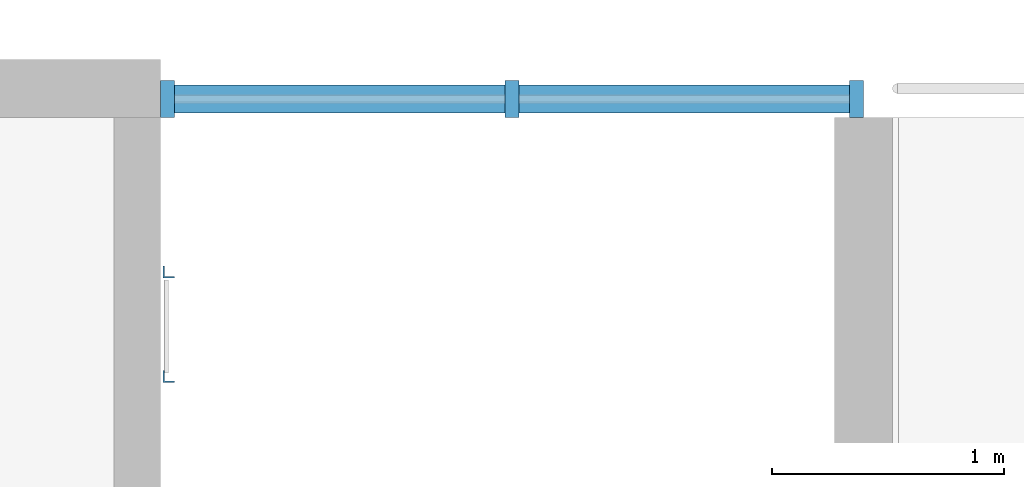
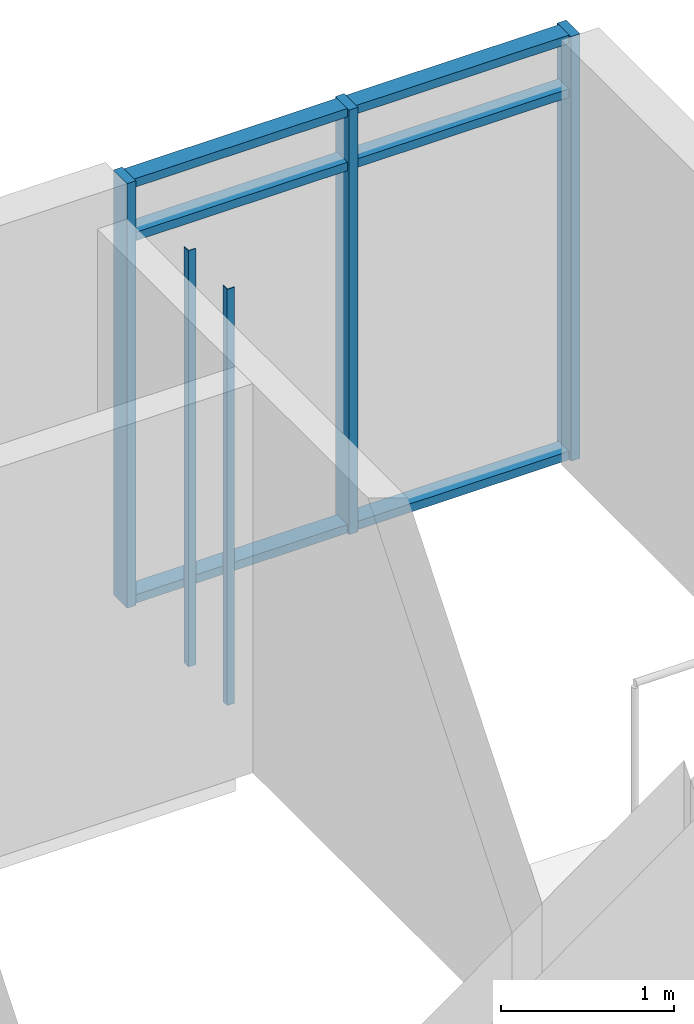
# One storey, part 14 of 33: 11 members, 1 element without a shape of its own.
"""IFC4 building model written with IfcOpenShell, lengths in metres."""

from ifc_helpers import new_model, si_unit, direction, frame, origin, origin_2d, place, context, subcontext, project, spatial, polyline, rectangle, outline, extrude, material, material_profile, profile_set, type_object, element, aggregate, save


model = new_model("IFC4")

# Units and contexts
model_context = context("Model", 3, precision=1e-05, world=origin(), true_north=direction((0.0, 1.0)))
body_context = subcontext(model_context, "Body", "Model", "MODEL_VIEW")
ifc_project = project(units=[si_unit("LENGTHUNIT", "METRE"), si_unit("AREAUNIT", "SQUARE_METRE"), si_unit("VOLUMEUNIT", "CUBIC_METRE"), si_unit("PLANEANGLEUNIT", "RADIAN"), si_unit("MASSUNIT", "GRAM", prefix="KILO")], contexts=[model_context])

# Site, building, storey
site_placement = place(None, origin())
site = spatial("IfcSite", under=ifc_project, at=site_placement, CompositionType="ELEMENT")
building_placement = place(site_placement, origin())
building = spatial("IfcBuilding", under=site, at=building_placement, Name="Ridgestep Commons", CompositionType="ELEMENT")
storey_placement = place(building_placement, frame((0.0, 0.0, 42.0)))
storey = spatial("IfcBuildingStorey", under=building, at=storey_placement, Name="L14", CompositionType="ELEMENT", Elevation=42.0)

# Members
ifc_material_1 = material(Name="Structural steel S355JR", Category="steel")
ifc_material_profile_1 = material_profile(ifc_material_1, outline(polyline([(-0.014404296875, -0.014404296875), (0.03564453125, -0.014404296875), (0.03564453125, -0.00927734375), (-0.00927734375, -0.00927734375), (-0.00927734375, 0.03564453125), (-0.014404296875, 0.03564453125), (-0.014404296875, -0.014404296875)])), Name="EA 50x50x5")
ifc_profile_set_1 = profile_set([ifc_material_profile_1], Name="Structural steel S355JR")
member_type_1 = type_object("IfcMemberType", Name="Core ladder stile EA 50x50x5", PredefinedType="STRINGER", material=ifc_profile_set_1)
for number, where, z_axis, x_axis, name in (
    (1, (233.800048828125, 21.625, 0.0), (0.0, 0.0, 1.0), (1.0, 0.0, 0.0), "Ladder stile D6C.1"),
    (2, (233.800048828125, 22.074951171875, 0.0), (0.0, 0.0, 1.0), (1.0, 0.0, 0.0), "Ladder stile D6C.2"),
):
    element("IfcMember", number, at=place(storey_placement, frame(where, z_axis=z_axis, x_axis=x_axis)), inside=storey, type_object=member_type_1, Name=name, PredefinedType="STRINGER", context=body_context, shape_type="SweptSolid", body=[
        extrude(outline(polyline([(-0.014404296875, -0.014404296875), (0.03564453125, -0.014404296875), (0.03564453125, -0.00927734375), (-0.00927734375, -0.00927734375), (-0.00927734375, 0.03564453125), (-0.014404296875, 0.03564453125), (-0.014404296875, -0.014404296875)])), origin(), (0.0, 0.0, 1.0), 2.93994140625),
    ])

# Curtain wall, members
ifc_material_2 = material(Name="Aluminium 6063-T6 and glass", Category="aluminium")
curtain_wall_type = type_object("IfcCurtainWallType", Name="Curtain wall stair strip", PredefinedType="NOTDEFINED", material=ifc_material_2)
curtain_wall_placement = place(storey_placement, origin())
curtain_wall = element("IfcCurtainWall", 3, at=curtain_wall_placement, inside=storey, type_object=curtain_wall_type, Name="Curtain wall D6C level 14", PredefinedType="NOTDEFINED")
ifc_material_3 = material(Name="Aluminium 6063-T6", Category="aluminium")
ifc_material_profile_2 = material_profile(ifc_material_3, rectangle(XDim=0.159912109375, YDim=0.06005859375, at=origin_2d()), Name="Mullion 60 x 160")
ifc_profile_set_2 = profile_set([ifc_material_profile_2], Name="Aluminium 6063-T6")
member_type_2 = type_object("IfcMemberType", Name="Mullion 60 x 160", PredefinedType="MULLION", material=ifc_profile_set_2)
member_1_placement = place(storey_placement, frame((233.804931640625, 22.830078125, 0.0), z_axis=(0.0, 0.0, 1.0), x_axis=(0.0, 1.0, 0.0)))
member_1 = element("IfcMember", 4, at=member_1_placement, type_object=member_type_2, Name="CW1 mullion 1", PredefinedType="MULLION", context=body_context, shape_type="SweptSolid", body=[
    extrude(rectangle(XDim=0.159912109375, YDim=0.06005859375, at=origin_2d()), origin(), (0.0, 0.0, 1.0), 3.0),
])
member_2_placement = place(storey_placement, frame((235.28759765625, 22.830078125, 0.0), z_axis=(0.0, 0.0, 1.0), x_axis=(0.0, 1.0, 0.0)))
member_2 = element("IfcMember", 5, at=member_2_placement, type_object=member_type_2, Name="CW1 mullion 2", PredefinedType="MULLION", context=body_context, shape_type="SweptSolid", body=[
    extrude(rectangle(XDim=0.159912109375, YDim=0.06005859375, at=origin_2d()), origin(), (0.0, 0.0, 1.0), 3.0),
])
member_3_placement = place(storey_placement, frame((236.77001953125, 22.830078125, 0.0), z_axis=(0.0, 0.0, 1.0), x_axis=(0.0, 1.0, 0.0)))
member_3 = element("IfcMember", 6, at=member_3_placement, type_object=member_type_2, Name="CW1 mullion 3", PredefinedType="MULLION", context=body_context, shape_type="SweptSolid", body=[
    extrude(rectangle(XDim=0.159912109375, YDim=0.06005859375, at=origin_2d()), origin(), (0.0, 0.0, 1.0), 3.0),
])
ifc_material_4 = material(Name="Aluminium 6063-T6", Category="aluminium")
ifc_material_profile_3 = material_profile(ifc_material_4, rectangle(XDim=0.1201171875, YDim=0.06005859375, at=origin_2d()), Name="Transom 60 x 120")
ifc_profile_set_3 = profile_set([ifc_material_profile_3], Name="Aluminium 6063-T6")
member_type_3 = type_object("IfcMemberType", Name="Transom 60 x 120", PredefinedType="USERDEFINED", material=ifc_profile_set_3)
member_4_placement = place(storey_placement, frame((233.8349609375, 22.830078125, 0.030029296875), z_axis=(1.0, 0.0, 0.0), x_axis=(0.0, 1.0, 0.0)))
member_4 = element("IfcMember", 7, at=member_4_placement, type_object=member_type_3, Name="CW1 transom 1.1", ObjectType="TRANSOM", PredefinedType="USERDEFINED", context=body_context, shape_type="SweptSolid", body=[
    extrude(rectangle(XDim=0.1201171875, YDim=0.06005859375, at=origin_2d()), origin(), (0.0, 0.0, 1.0), 1.422607421875),
])
member_5_placement = place(storey_placement, frame((233.8349609375, 22.830078125, 2.590087890625), z_axis=(1.0, 0.0, 0.0), x_axis=(0.0, 1.0, 0.0)))
member_5 = element("IfcMember", 8, at=member_5_placement, type_object=member_type_3, Name="CW1 transom 1.2", ObjectType="TRANSOM", PredefinedType="USERDEFINED", context=body_context, shape_type="SweptSolid", body=[
    extrude(rectangle(XDim=0.1201171875, YDim=0.06005859375, at=origin_2d()), origin(), (0.0, 0.0, 1.0), 1.422607421875),
])
member_6_placement = place(storey_placement, frame((233.8349609375, 22.830078125, 2.969970703125), z_axis=(1.0, 0.0, 0.0), x_axis=(0.0, 1.0, 0.0)))
member_6 = element("IfcMember", 9, at=member_6_placement, type_object=member_type_3, Name="CW1 transom 1.3", ObjectType="TRANSOM", PredefinedType="USERDEFINED", context=body_context, shape_type="SweptSolid", body=[
    extrude(rectangle(XDim=0.1201171875, YDim=0.06005859375, at=origin_2d()), origin(), (0.0, 0.0, 1.0), 1.422607421875),
])
member_7_placement = place(storey_placement, frame((235.3173828125, 22.830078125, 0.030029296875), z_axis=(1.0, 0.0, 0.0), x_axis=(0.0, 1.0, 0.0)))
member_7 = element("IfcMember", 10, at=member_7_placement, type_object=member_type_3, Name="CW1 transom 2.1", ObjectType="TRANSOM", PredefinedType="USERDEFINED", context=body_context, shape_type="SweptSolid", body=[
    extrude(rectangle(XDim=0.1201171875, YDim=0.06005859375, at=origin_2d()), origin(), (0.0, 0.0, 1.0), 1.422607421875),
])
member_8_placement = place(storey_placement, frame((235.3173828125, 22.830078125, 2.590087890625), z_axis=(1.0, 0.0, 0.0), x_axis=(0.0, 1.0, 0.0)))
member_8 = element("IfcMember", 11, at=member_8_placement, type_object=member_type_3, Name="CW1 transom 2.2", ObjectType="TRANSOM", PredefinedType="USERDEFINED", context=body_context, shape_type="SweptSolid", body=[
    extrude(rectangle(XDim=0.1201171875, YDim=0.06005859375, at=origin_2d()), origin(), (0.0, 0.0, 1.0), 1.422607421875),
])
member_9_placement = place(storey_placement, frame((235.3173828125, 22.830078125, 2.969970703125), z_axis=(1.0, 0.0, 0.0), x_axis=(0.0, 1.0, 0.0)))
member_9 = element("IfcMember", 12, at=member_9_placement, type_object=member_type_3, Name="CW1 transom 2.3", ObjectType="TRANSOM", PredefinedType="USERDEFINED", context=body_context, shape_type="SweptSolid", body=[
    extrude(rectangle(XDim=0.1201171875, YDim=0.06005859375, at=origin_2d()), origin(), (0.0, 0.0, 1.0), 1.422607421875),
])
aggregate(curtain_wall, [member_1, member_2, member_3, member_4, member_5, member_6, member_7, member_8, member_9])

save(model, "model.ifc")
